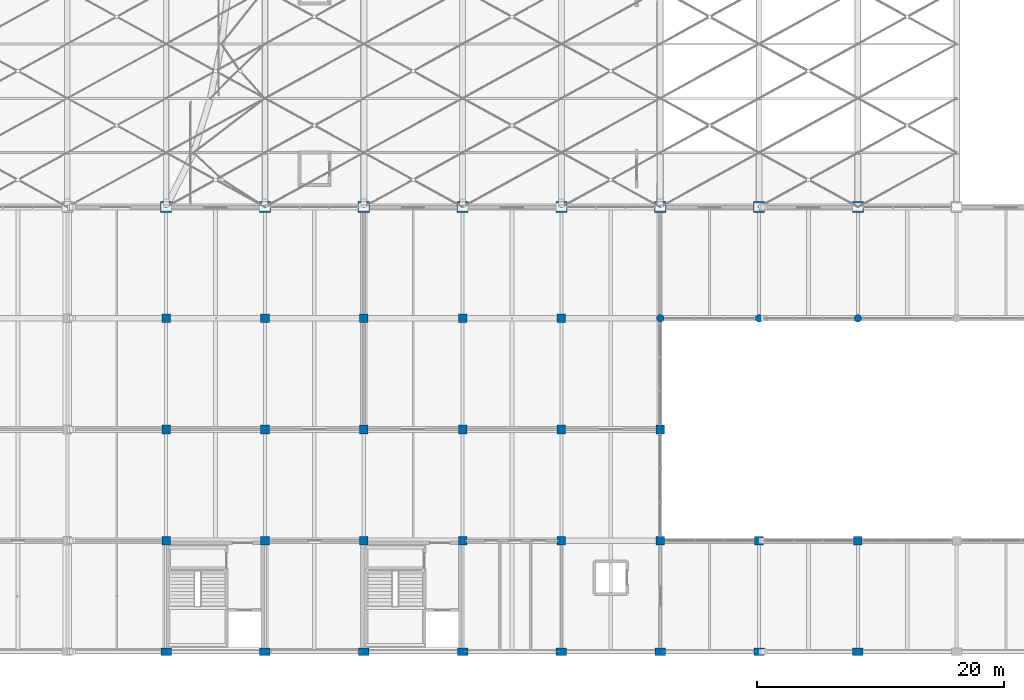
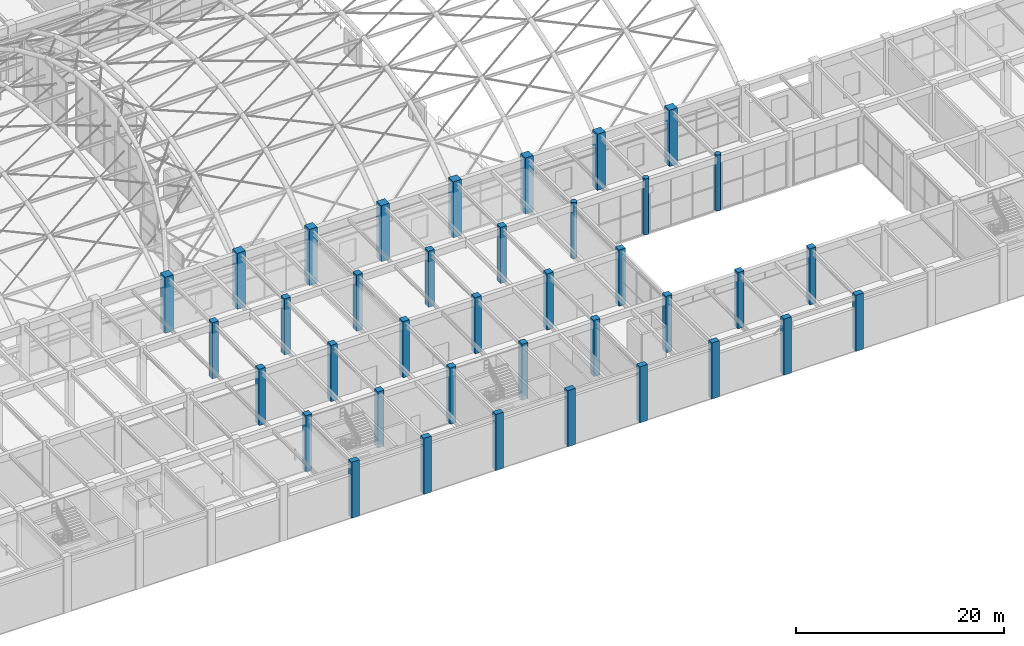
# One storey, part 3 of 163: 38 columns.
"""IFC4 building model written with IfcOpenShell, lengths in metres."""

import ifcopenshell
import ifcopenshell.guid

model = None  # the IFC model being written
_history = None  # IfcOwnerHistory: only IFC2X3 demands one
_inside = {}  # id of a spatial element -> (the spatial element, [elements in it])
_under = {}  # id of a project, library or spatial element -> (it, [spatial elements below it])
_declared = {}  # id of a project -> (the project, [libraries it declares])
_typed = {}  # id of a type object -> (the type object, [elements of that type])
_made_of = {}  # id of a material, layer set ... -> (it, [elements and type objects made of it])


def new_model(schema):
    """Start an empty IFC model of exactly this schema.

    Asked for "IFC4X3", IfcOpenShell would pick the latest addendum, in which some entities
    have other attributes; the version numbers below select the first issue.
    IFC2X3 requires an IfcOwnerHistory on every rooted entity: one is made here for all.
    """
    global model, _history
    if schema == "IFC4X3":
        model = ifcopenshell.file(schema_version=(4, 3, 0, 0))
    else:
        model = ifcopenshell.file(schema=schema)
    _inside.clear()
    _under.clear()
    _declared.clear()
    _typed.clear()
    _made_of.clear()
    _history = None
    if model.schema == "IFC2X3":
        org = make("IfcOrganization", Name="unknown")
        user = make(
            "IfcPersonAndOrganization",
            ThePerson=make("IfcPerson", FamilyName="unknown"),
            TheOrganization=org,
        )
        app = make(
            "IfcApplication",
            ApplicationDeveloper=org,
            Version="unknown",
            ApplicationFullName="unknown",
            ApplicationIdentifier="unknown",
        )
        _history = make(
            "IfcOwnerHistory",
            OwningUser=user,
            OwningApplication=app,
            ChangeAction="ADDED",
            CreationDate=0,
        )
    return model


def make(cls, **values):
    """One entity of the class cls with the attributes given. An attribute that is None is left unset."""
    return model.create_entity(
        cls, **{name: value for name, value in values.items() if value is not None}
    )


def rooted(cls, **values):
    """An entity with a GlobalId (a new one), such as an element, a storey or a relation."""
    return make(cls, GlobalId=ifcopenshell.guid.new(), OwnerHistory=_history, **values)


def si_unit(unit_type, name, prefix=None):
    """IfcSIUnit, for example si_unit("LENGTHUNIT", "METRE", prefix="MILLI")."""
    return make("IfcSIUnit", UnitType=unit_type, Prefix=prefix, Name=name)


def assignment(units):
    """IfcUnitAssignment: the units of a project."""
    return None if units is None else make("IfcUnitAssignment", Units=units)


def point(xyz):
    """IfcCartesianPoint."""
    return None if xyz is None else make("IfcCartesianPoint", Coordinates=xyz)


def direction(xyz):
    """IfcDirection."""
    return None if xyz is None else make("IfcDirection", DirectionRatios=xyz)


def frame(location, z_axis=None, x_axis=None):
    """IfcAxis2Placement3D, a coordinate frame: its origin and axes. An axis left out is left unset."""
    return make(
        "IfcAxis2Placement3D",
        Location=point(location),
        Axis=direction(z_axis),
        RefDirection=direction(x_axis),
    )


def frame_2d(location, x_axis=None):
    """IfcAxis2Placement2D, a coordinate frame in the plane: its origin and x axis."""
    return make(
        "IfcAxis2Placement2D", Location=point(location), RefDirection=direction(x_axis)
    )


def origin():
    """The frame at (0, 0, 0) with its axes left unset."""
    return frame((0.0, 0.0, 0.0))


def origin_2d():
    """The frame at (0, 0) in the plane with its x axis left unset."""
    return frame_2d((0.0, 0.0))


def place(relative_to, where):
    """IfcLocalPlacement: puts the frame where relative to a parent placement (None: the world)."""
    return make(
        "IfcLocalPlacement", PlacementRelTo=relative_to, RelativePlacement=where
    )


def context(
    kind, dimensions, precision=None, world=None, true_north=None, identifier=None
):
    """IfcGeometricRepresentationContext, for example the 3D "Model" context."""
    return make(
        "IfcGeometricRepresentationContext",
        ContextIdentifier=identifier,
        ContextType=kind,
        CoordinateSpaceDimension=dimensions,
        Precision=precision,
        WorldCoordinateSystem=world,
        TrueNorth=true_north,
    )


def subcontext(parent, identifier, kind, view, scale=None):
    """IfcGeometricRepresentationSubContext, for example "Body" below "Model"."""
    return make(
        "IfcGeometricRepresentationSubContext",
        ContextIdentifier=identifier,
        ContextType=kind,
        ParentContext=parent,
        TargetScale=scale,
        TargetView=view,
    )


def project(units=None, contexts=None):
    """IfcProject with its units and contexts."""
    return rooted(
        "IfcProject",
        Name="project",
        RepresentationContexts=contexts,
        UnitsInContext=assignment(units),
    )


def spatial(cls, under=None, at=None, **own):
    """A site, building, storey or space (cls), placed at a placement, below another one or the project."""
    s = rooted(cls, ObjectPlacement=at, **own)
    if under is not None:
        _under.setdefault(under.id(), (under, []))[1].append(s)
    return s


def profile(cls, at=None, kind="AREA", **sizes):
    """A parametric profile (cls). Its sizes go by their IFC names, for example OverallWidth=200.0."""
    return make(cls, ProfileType=kind, Position=at, **sizes)


def rectangle(**sizes):
    """IfcRectangleProfileDef."""
    return profile("IfcRectangleProfileDef", **sizes)


def circle(**sizes):
    """IfcCircleProfileDef."""
    return profile("IfcCircleProfileDef", **sizes)


def extrude(swept, where, along, depth):
    """IfcExtrudedAreaSolid: the profile swept, set in the frame where, extruded along a direction by depth."""
    return make(
        "IfcExtrudedAreaSolid",
        SweptArea=swept,
        Position=where,
        ExtrudedDirection=direction(along),
        Depth=depth,
    )


def shape(context_of_items, identifier, shape_type, items):
    """IfcShapeRepresentation: the items that make up one representation, for example the "Body"."""
    return make(
        "IfcShapeRepresentation",
        ContextOfItems=context_of_items,
        RepresentationIdentifier=identifier,
        RepresentationType=shape_type,
        Items=items,
    )


def material(Name=None, Category=None):
    """IfcMaterial."""
    return make("IfcMaterial", Name=Name, Category=Category)


def material_profile(
    of_material, cross_section, Name=None, Category=None, Priority=None
):
    """IfcMaterialProfile: a cross section and its material."""
    return make(
        "IfcMaterialProfile",
        Name=Name,
        Material=of_material,
        Profile=cross_section,
        Priority=Priority,
        Category=Category,
    )


def profile_set(profiles, Name=None, composite=None):
    """IfcMaterialProfileSet."""
    return make(
        "IfcMaterialProfileSet",
        Name=Name,
        MaterialProfiles=profiles,
        CompositeProfile=composite,
    )


def made_of(thing, what):
    """Note that an element or type object is made of a material, layer set ...; save() writes the relation."""
    if what is not None:
        _made_of.setdefault(what.id(), (what, []))[1].append(thing)
    return thing


def type_object(cls, material=None, **own):
    """A type object (cls), such as IfcWallType, which elements share."""
    return made_of(rooted(cls, **own), material)


def element(
    cls,
    number,
    at=None,
    inside=None,
    cuts=None,
    type_object=None,
    material=None,
    context=None,
    identifier="Body",
    shape_type=None,
    held_by="IfcProductDefinitionShape",
    body=None,
    shapes=None,
    **own,
):
    """One element of the class cls, such as IfcWall. Its Tag is "e" and its number.

    at: its placement. inside: the storey or other place that contains it. cuts: it is an
    opening in that element (IfcRelVoidsElement). A single representation is given by context,
    identifier, shape_type and body (its items); several are given by shapes. held_by: the class
    of the entity that holds the representations. save() writes the other relations.
    """
    e = rooted(cls, Tag="e%d" % number, ObjectPlacement=at, **own)
    if body is not None:
        shapes = [shape(context, identifier, shape_type, body)]
    if shapes is not None:
        e.Representation = make(held_by, Representations=shapes)
    if inside is not None:
        _inside.setdefault(inside.id(), (inside, []))[1].append(e)
    if cuts is not None:
        rooted(
            "IfcRelVoidsElement", RelatingBuildingElement=cuts, RelatedOpeningElement=e
        )
    if type_object is not None:
        _typed.setdefault(type_object.id(), (type_object, []))[1].append(e)
    return made_of(e, material)


def aggregate(whole, parts):
    """IfcRelAggregates: a whole, such as a stair, and the parts it consists of."""
    return rooted("IfcRelAggregates", RelatingObject=whole, RelatedObjects=parts)


def save(model, path):
    """Write the relations noted so far, then the file.

    IfcRelAggregates (storeys below a building ...), IfcRelContainedInSpatialStructure (elements
    in a storey), IfcRelDefinesByType, IfcRelAssociatesMaterial and IfcRelDeclares: one each for
    every whole, place, type object, material and project.
    """
    for whole, parts in _under.values():
        aggregate(whole, parts)
    for where, things in _inside.values():
        rooted(
            "IfcRelContainedInSpatialStructure",
            RelatedElements=things,
            RelatingStructure=where,
        )
    for kind, things in _typed.values():
        rooted("IfcRelDefinesByType", RelatedObjects=things, RelatingType=kind)
    for what, things in _made_of.values():
        rooted("IfcRelAssociatesMaterial", RelatedObjects=things, RelatingMaterial=what)
    for by, libraries in _declared.values():
        rooted("IfcRelDeclares", RelatingContext=by, RelatedDefinitions=libraries)
    model.write(path)


model = new_model("IFC4")

# Units and contexts
model_context = context("Model", 3, precision=1e-05, world=origin(), true_north=direction((0.0, 1.0)))
body_context = subcontext(model_context, "Body", "Model", "MODEL_VIEW")
ifc_project = project(units=[si_unit("LENGTHUNIT", "METRE"), si_unit("AREAUNIT", "SQUARE_METRE"), si_unit("VOLUMEUNIT", "CUBIC_METRE"), si_unit("PLANEANGLEUNIT", "RADIAN"), si_unit("MASSUNIT", "GRAM", prefix="KILO")], contexts=[model_context])

# Site, building, storey
site_placement = place(None, origin())
site = spatial("IfcSite", under=ifc_project, at=site_placement, CompositionType="ELEMENT")
building_placement = place(site_placement, origin())
building = spatial("IfcBuilding", under=site, at=building_placement, Name="Varnabhumi Central Station", CompositionType="ELEMENT")
storey_placement = place(building_placement, frame((0.0, 0.0, 9.60009765625)))
storey = spatial("IfcBuildingStorey", under=building, at=storey_placement, Name="L02", CompositionType="ELEMENT", Elevation=9.60009765625)

# Columns
ifc_material_1 = material(Name="Concrete M40", Category="concrete")
ifc_material_profile_1 = material_profile(ifc_material_1, rectangle(XDim=0.85009765625, YDim=0.60009765625, at=origin_2d()), Name="Concrete M40", Category="concrete")
ifc_profile_set_1 = profile_set([ifc_material_profile_1], Name="Concrete M40")
column_type_1 = type_object("IfcColumnType", Name="COL-RC-850x600", PredefinedType="PILASTER", material=ifc_profile_set_1)
for number, where, z_axis, x_axis, name in (
    (1, (72.0, 0.0, 0.0), (0.0, 0.0, 1.0), (1.0, 0.0, 0.0), "Column L02-10A"),
    (2, (80.0, 0.0, 0.0), (0.0, 0.0, 1.0), (1.0, 0.0, 0.0), "Column L02-11A"),
    (3, (88.0, 0.0, 0.0), (0.0, 0.0, 1.0), (1.0, 0.0, 0.0), "Column L02-12A"),
    (4, (96.0, 0.0, 0.0), (0.0, 0.0, 1.0), (1.0, 0.0, 0.0), "Column L02-13A"),
    (5, (104.0, 0.0, 0.0), (0.0, 0.0, 1.0), (1.0, 0.0, 0.0), "Column L02-14A"),
    (6, (112.0, 0.0, 0.0), (0.0, 0.0, 1.0), (1.0, 0.0, 0.0), "Column L02-15A"),
    (7, (120.0, 0.0, 0.0), (0.0, 0.0, 1.0), (1.0, 0.0, 0.0), "Column L02-16A"),
    (8, (128.0, 0.0, 0.0), (0.0, 0.0, 1.0), (1.0, 0.0, 0.0), "Column L02-17A"),
):
    element("IfcColumn", number, at=place(storey_placement, frame(where, z_axis=z_axis, x_axis=x_axis)), inside=storey, type_object=column_type_1, Name=name, PredefinedType="PILASTER", context=body_context, shape_type="SweptSolid", body=[
        extrude(rectangle(XDim=0.85009765625, YDim=0.60009765625, at=origin_2d()), origin(), (0.0, 0.0, 1.0), 6.599853515625),
    ])
ifc_material_profile_2 = material_profile(ifc_material_1, circle(Radius=0.300048828125, at=origin_2d()), Name="Concrete M40", Category="concrete")
ifc_profile_set_2 = profile_set([ifc_material_profile_2], Name="Concrete M40")
column_type_2 = type_object("IfcColumnType", Name="COL-RC-D600", PredefinedType="COLUMN", material=ifc_profile_set_2)
for number, where, z_axis, x_axis, name in (
    (9, (112.0, 27.0, 0.0), (0.0, 0.0, 1.0), (1.0, 0.0, 0.0), "Column L02-15D"),
    (10, (120.0, 27.0, 0.0), (0.0, 0.0, 1.0), (1.0, 0.0, 0.0), "Column L02-16D"),
    (11, (128.0, 27.0, 0.0), (0.0, 0.0, 1.0), (1.0, 0.0, 0.0), "Column L02-17D"),
):
    element("IfcColumn", number, at=place(storey_placement, frame(where, z_axis=z_axis, x_axis=x_axis)), inside=storey, type_object=column_type_2, Name=name, PredefinedType="COLUMN", context=body_context, shape_type="SweptSolid", body=[
        extrude(circle(Radius=0.300048828125, at=origin_2d()), origin(), (0.0, 0.0, 1.0), 6.599853515625),
    ])
ifc_material_profile_3 = material_profile(ifc_material_1, rectangle(XDim=0.699951171875, YDim=0.699951171875, at=origin_2d()), Name="Concrete M40", Category="concrete")
ifc_profile_set_3 = profile_set([ifc_material_profile_3], Name="Concrete M40")
column_type_3 = type_object("IfcColumnType", Name="COL-SOUTH-700", PredefinedType="COLUMN", material=ifc_profile_set_3)
for number, where, z_axis, x_axis, name in (
    (12, (72.0, 9.0, 0.0), (0.0, 0.0, 1.0), (1.0, 0.0, 0.0), "Column L02-10B"),
    (13, (72.0, 18.0, 0.0), (0.0, 0.0, 1.0), (1.0, 0.0, 0.0), "Column L02-10C"),
    (14, (72.0, 27.0, 0.0), (0.0, 0.0, 1.0), (1.0, 0.0, 0.0), "Column L02-10D"),
    (15, (80.0, 9.0, 0.0), (0.0, 0.0, 1.0), (1.0, 0.0, 0.0), "Column L02-11B"),
    (16, (80.0, 18.0, 0.0), (0.0, 0.0, 1.0), (1.0, 0.0, 0.0), "Column L02-11C"),
    (17, (80.0, 27.0, 0.0), (0.0, 0.0, 1.0), (1.0, 0.0, 0.0), "Column L02-11D"),
    (18, (88.0, 9.0, 0.0), (0.0, 0.0, 1.0), (1.0, 0.0, 0.0), "Column L02-12B"),
    (19, (88.0, 18.0, 0.0), (0.0, 0.0, 1.0), (1.0, 0.0, 0.0), "Column L02-12C"),
    (20, (88.0, 27.0, 0.0), (0.0, 0.0, 1.0), (1.0, 0.0, 0.0), "Column L02-12D"),
    (21, (96.0, 9.0, 0.0), (0.0, 0.0, 1.0), (1.0, 0.0, 0.0), "Column L02-13B"),
    (22, (96.0, 18.0, 0.0), (0.0, 0.0, 1.0), (1.0, 0.0, 0.0), "Column L02-13C"),
    (23, (96.0, 27.0, 0.0), (0.0, 0.0, 1.0), (1.0, 0.0, 0.0), "Column L02-13D"),
    (24, (104.0, 9.0, 0.0), (0.0, 0.0, 1.0), (1.0, 0.0, 0.0), "Column L02-14B"),
    (25, (104.0, 18.0, 0.0), (0.0, 0.0, 1.0), (1.0, 0.0, 0.0), "Column L02-14C"),
    (26, (104.0, 27.0, 0.0), (0.0, 0.0, 1.0), (1.0, 0.0, 0.0), "Column L02-14D"),
    (27, (112.0, 9.0, 0.0), (0.0, 0.0, 1.0), (1.0, 0.0, 0.0), "Column L02-15B"),
    (28, (112.0, 18.0, 0.0), (0.0, 0.0, 1.0), (1.0, 0.0, 0.0), "Column L02-15C"),
    (29, (120.0, 9.0, 0.0), (0.0, 0.0, 1.0), (1.0, 0.0, 0.0), "Column L02-16B"),
    (30, (128.0, 9.0, 0.0), (0.0, 0.0, 1.0), (1.0, 0.0, 0.0), "Column L02-17B"),
):
    element("IfcColumn", number, at=place(storey_placement, frame(where, z_axis=z_axis, x_axis=x_axis)), inside=storey, type_object=column_type_3, Name=name, PredefinedType="COLUMN", context=body_context, shape_type="SweptSolid", body=[
        extrude(rectangle(XDim=0.699951171875, YDim=0.699951171875, at=origin_2d()), origin(), (0.0, 0.0, 1.0), 6.599853515625),
    ])
ifc_material_2 = material(Name="Concrete M50", Category="concrete")
ifc_material_profile_4 = material_profile(ifc_material_2, rectangle(XDim=0.89990234375, YDim=0.89990234375, at=origin_2d()), Name="Concrete M50", Category="concrete")
ifc_profile_set_4 = profile_set([ifc_material_profile_4], Name="Concrete M50")
column_type_4 = type_object("IfcColumnType", Name="COL-SPINE-M50-900x900", PredefinedType="COLUMN", material=ifc_profile_set_4)
for number, where, z_axis, x_axis, name in (
    (31, (72.0, 36.0, 0.0), (0.0, 0.0, 1.0), (1.0, 0.0, 0.0), "Column L02-10E"),
    (32, (80.0, 36.0, 0.0), (0.0, 0.0, 1.0), (1.0, 0.0, 0.0), "Column L02-11E"),
    (33, (88.0, 36.0, 0.0), (0.0, 0.0, 1.0), (1.0, 0.0, 0.0), "Column L02-12E"),
    (34, (96.0, 36.0, 0.0), (0.0, 0.0, 1.0), (1.0, 0.0, 0.0), "Column L02-13E"),
    (35, (104.0, 36.0, 0.0), (0.0, 0.0, 1.0), (1.0, 0.0, 0.0), "Column L02-14E"),
    (36, (112.0, 36.0, 0.0), (0.0, 0.0, 1.0), (1.0, 0.0, 0.0), "Column L02-15E"),
    (37, (120.0, 36.0, 0.0), (0.0, 0.0, 1.0), (1.0, 0.0, 0.0), "Column L02-16E"),
    (38, (128.0, 36.0, 0.0), (0.0, 0.0, 1.0), (1.0, 0.0, 0.0), "Column L02-17E"),
):
    element("IfcColumn", number, at=place(storey_placement, frame(where, z_axis=z_axis, x_axis=x_axis)), inside=storey, type_object=column_type_4, Name=name, PredefinedType="COLUMN", context=body_context, shape_type="SweptSolid", body=[
        extrude(rectangle(XDim=0.89990234375, YDim=0.89990234375, at=origin_2d()), origin(), (0.0, 0.0, 1.0), 6.599853515625),
    ])

save(model, "model.ifc")
